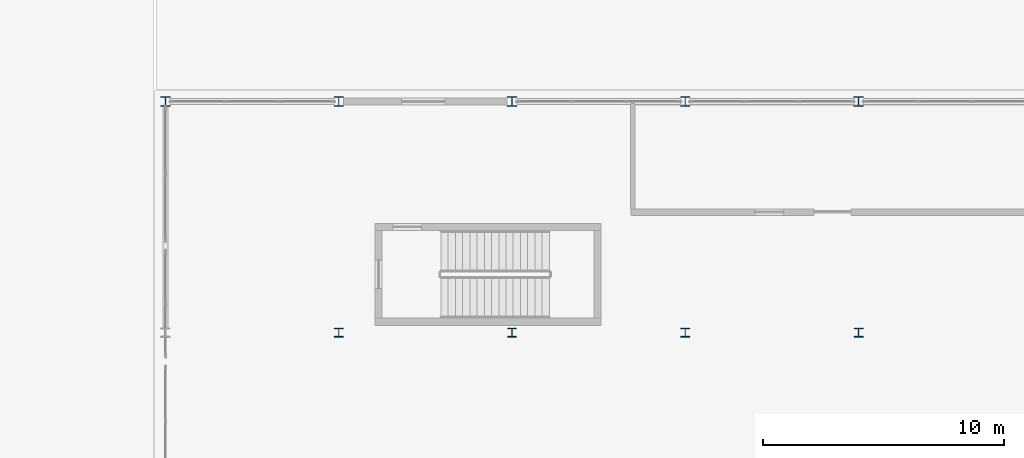
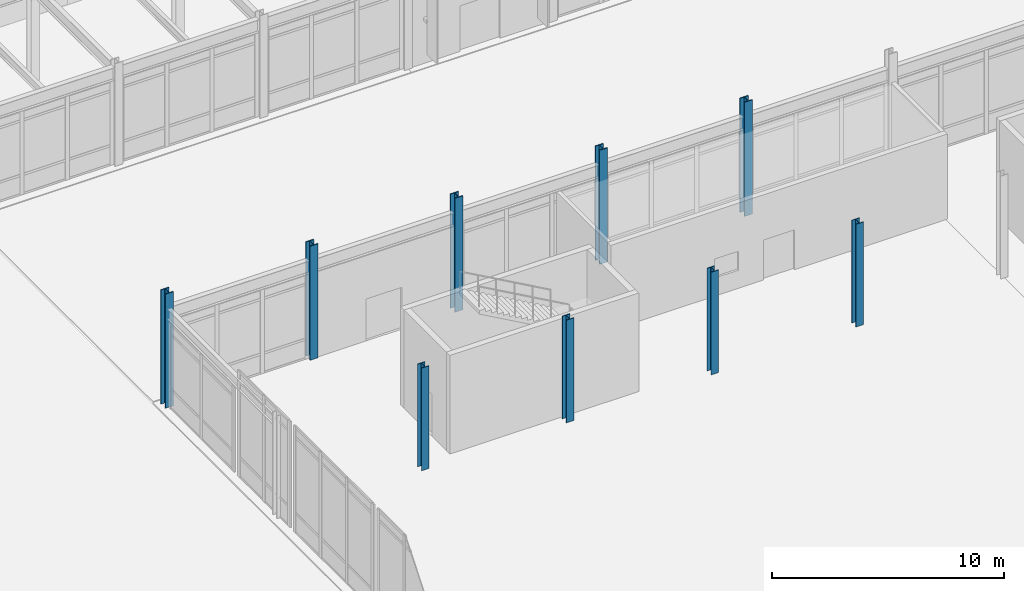
# One storey, part 2 of 104: 9 columns.
"""IFC4 building model written with IfcOpenShell, lengths in metres."""

from ifc_helpers import new_model, si_unit, direction, frame, origin, origin_2d, place, context, subcontext, project, spatial, i_section, extrude, material, material_profile, profile_set, type_object, element, save


model = new_model("IFC4")

# Units and contexts
model_context = context("Model", 3, precision=1e-05, world=origin(), true_north=direction((0.0, 1.0)))
body_context = subcontext(model_context, "Body", "Model", "MODEL_VIEW")
ifc_project = project(units=[si_unit("LENGTHUNIT", "METRE"), si_unit("AREAUNIT", "SQUARE_METRE"), si_unit("VOLUMEUNIT", "CUBIC_METRE"), si_unit("PLANEANGLEUNIT", "RADIAN"), si_unit("MASSUNIT", "GRAM", prefix="KILO")], contexts=[model_context])

# Site, building, storey
site_placement = place(None, origin())
site = spatial("IfcSite", under=ifc_project, at=site_placement, CompositionType="ELEMENT")
building_placement = place(site_placement, origin())
building = spatial("IfcBuilding", under=site, at=building_placement, Name="Vaelcorin Mobility Hub", CompositionType="ELEMENT")
storey_placement = place(building_placement, origin())
storey = spatial("IfcBuildingStorey", under=building, at=storey_placement, Name="L00", CompositionType="ELEMENT", Elevation=0.0)

# Columns
ifc_material = material(Name="Steel ASTM A992 Grade 50", Category="steel")
ifc_material_profile_1 = material_profile(ifc_material, i_section(OverallWidth=0.373046875, OverallDepth=0.373046875, WebThickness=0.016357421875, FlangeThickness=0.026123046875, FilletRadius=0.014892578125, at=origin_2d()), Name="W14X132")
ifc_profile_set_1 = profile_set([ifc_material_profile_1], Name="Steel ASTM A992 Grade 50")
column_type_1 = type_object("IfcColumnType", Name="COL-W14X132", PredefinedType="COLUMN", material=ifc_profile_set_1)
for number, where, z_axis, x_axis, name in (
    (1, (43.199951171875, 50.39990234375, 0.0), (0.0, 0.0, 1.0), (1.0, 0.0, 0.0), "Column V1-X02-gal L00"),
    (2, (50.39990234375, 50.39990234375, 0.0), (0.0, 0.0, 1.0), (1.0, 0.0, 0.0), "Column V1-X03-gal L00"),
    (3, (57.60009765625, 50.39990234375, 0.0), (0.0, 0.0, 1.0), (1.0, 0.0, 0.0), "Column V1-X04-gal L00"),
    (4, (64.800048828125, 50.39990234375, 0.0), (0.0, 0.0, 1.0), (1.0, 0.0, 0.0), "Column V1-X05-gal L00"),
):
    element("IfcColumn", number, at=place(storey_placement, frame(where, z_axis=z_axis, x_axis=x_axis)), inside=storey, type_object=column_type_1, Name=name, PredefinedType="COLUMN", context=body_context, shape_type="SweptSolid", body=[
        extrude(i_section(OverallWidth=0.373046875, OverallDepth=0.373046875, WebThickness=0.016357421875, FlangeThickness=0.026123046875, FilletRadius=0.014892578125, at=origin_2d()), origin(), (0.0, 0.0, 1.0), 5.39990234375),
    ])
ifc_material_profile_2 = material_profile(ifc_material, i_section(OverallWidth=0.404052734375, OverallDepth=0.406005859375, WebThickness=0.027099609375, FlangeThickness=0.043701171875, FilletRadius=0.014892578125, at=origin_2d()), Name="W14X233")
ifc_profile_set_2 = profile_set([ifc_material_profile_2], Name="Steel ASTM A992 Grade 50")
column_type_2 = type_object("IfcColumnType", Name="COL-W14X233", PredefinedType="COLUMN", material=ifc_profile_set_2)
for number, where, z_axis, x_axis, name in (
    (5, (36.0, 60.0, 0.0), (0.0, 0.0, 1.0), (1.0, 0.0, 0.0), "Column V1-X01-arch_n L00"),
    (6, (43.199951171875, 60.0, 0.0), (0.0, 0.0, 1.0), (1.0, 0.0, 0.0), "Column V1-X02-arch_n L00"),
    (7, (50.39990234375, 60.0, 0.0), (0.0, 0.0, 1.0), (1.0, 0.0, 0.0), "Column V1-X03-arch_n L00"),
    (8, (57.60009765625, 60.0, 0.0), (0.0, 0.0, 1.0), (1.0, 0.0, 0.0), "Column V1-X04-arch_n L00"),
    (9, (64.800048828125, 60.0, 0.0), (0.0, 0.0, 1.0), (1.0, 0.0, 0.0), "Column V1-X05-arch_n L00"),
):
    element("IfcColumn", number, at=place(storey_placement, frame(where, z_axis=z_axis, x_axis=x_axis)), inside=storey, type_object=column_type_2, Name=name, PredefinedType="COLUMN", context=body_context, shape_type="SweptSolid", body=[
        extrude(i_section(OverallWidth=0.404052734375, OverallDepth=0.406005859375, WebThickness=0.027099609375, FlangeThickness=0.043701171875, FilletRadius=0.014892578125, at=origin_2d()), origin(), (0.0, 0.0, 1.0), 6.0),
    ])

save(model, "model.ifc")
